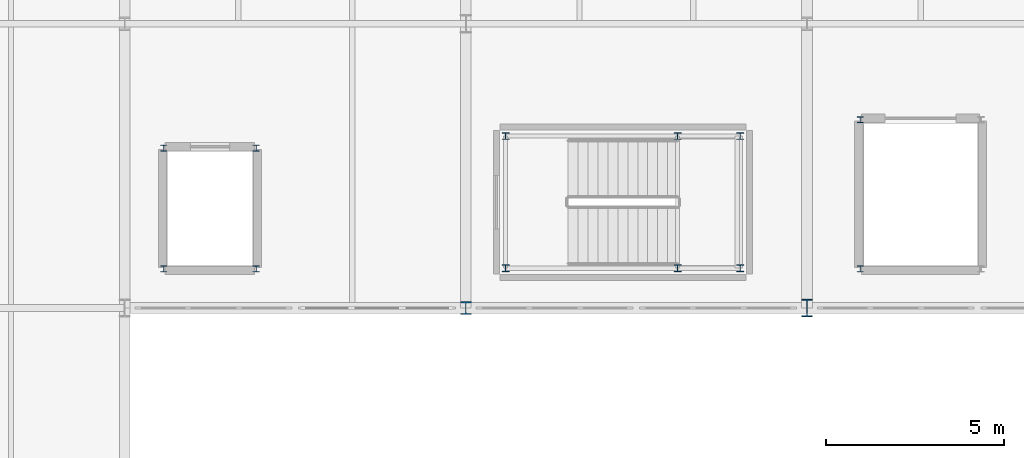
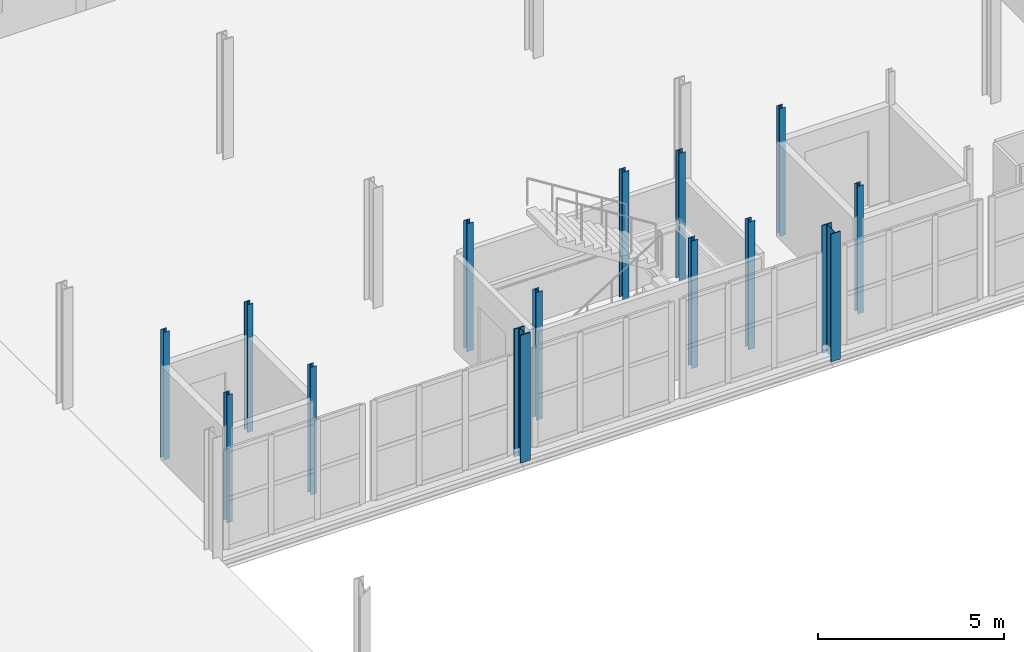
# One storey, part 21 of 78: 14 columns.
"""IFC4 building model written with IfcOpenShell, lengths in metres."""

import ifcopenshell
import ifcopenshell.guid

model = None  # the IFC model being written
_history = None  # IfcOwnerHistory: only IFC2X3 demands one
_inside = {}  # id of a spatial element -> (the spatial element, [elements in it])
_under = {}  # id of a project, library or spatial element -> (it, [spatial elements below it])
_declared = {}  # id of a project -> (the project, [libraries it declares])
_typed = {}  # id of a type object -> (the type object, [elements of that type])
_made_of = {}  # id of a material, layer set ... -> (it, [elements and type objects made of it])


def new_model(schema):
    """Start an empty IFC model of exactly this schema.

    Asked for "IFC4X3", IfcOpenShell would pick the latest addendum, in which some entities
    have other attributes; the version numbers below select the first issue.
    IFC2X3 requires an IfcOwnerHistory on every rooted entity: one is made here for all.
    """
    global model, _history
    if schema == "IFC4X3":
        model = ifcopenshell.file(schema_version=(4, 3, 0, 0))
    else:
        model = ifcopenshell.file(schema=schema)
    _inside.clear()
    _under.clear()
    _declared.clear()
    _typed.clear()
    _made_of.clear()
    _history = None
    if model.schema == "IFC2X3":
        org = make("IfcOrganization", Name="unknown")
        user = make(
            "IfcPersonAndOrganization",
            ThePerson=make("IfcPerson", FamilyName="unknown"),
            TheOrganization=org,
        )
        app = make(
            "IfcApplication",
            ApplicationDeveloper=org,
            Version="unknown",
            ApplicationFullName="unknown",
            ApplicationIdentifier="unknown",
        )
        _history = make(
            "IfcOwnerHistory",
            OwningUser=user,
            OwningApplication=app,
            ChangeAction="ADDED",
            CreationDate=0,
        )
    return model


def make(cls, **values):
    """One entity of the class cls with the attributes given. An attribute that is None is left unset."""
    return model.create_entity(
        cls, **{name: value for name, value in values.items() if value is not None}
    )


def rooted(cls, **values):
    """An entity with a GlobalId (a new one), such as an element, a storey or a relation."""
    return make(cls, GlobalId=ifcopenshell.guid.new(), OwnerHistory=_history, **values)


def si_unit(unit_type, name, prefix=None):
    """IfcSIUnit, for example si_unit("LENGTHUNIT", "METRE", prefix="MILLI")."""
    return make("IfcSIUnit", UnitType=unit_type, Prefix=prefix, Name=name)


def assignment(units):
    """IfcUnitAssignment: the units of a project."""
    return None if units is None else make("IfcUnitAssignment", Units=units)


def point(xyz):
    """IfcCartesianPoint."""
    return None if xyz is None else make("IfcCartesianPoint", Coordinates=xyz)


def direction(xyz):
    """IfcDirection."""
    return None if xyz is None else make("IfcDirection", DirectionRatios=xyz)


def frame(location, z_axis=None, x_axis=None):
    """IfcAxis2Placement3D, a coordinate frame: its origin and axes. An axis left out is left unset."""
    return make(
        "IfcAxis2Placement3D",
        Location=point(location),
        Axis=direction(z_axis),
        RefDirection=direction(x_axis),
    )


def frame_2d(location, x_axis=None):
    """IfcAxis2Placement2D, a coordinate frame in the plane: its origin and x axis."""
    return make(
        "IfcAxis2Placement2D", Location=point(location), RefDirection=direction(x_axis)
    )


def origin():
    """The frame at (0, 0, 0) with its axes left unset."""
    return frame((0.0, 0.0, 0.0))


def origin_2d():
    """The frame at (0, 0) in the plane with its x axis left unset."""
    return frame_2d((0.0, 0.0))


def place(relative_to, where):
    """IfcLocalPlacement: puts the frame where relative to a parent placement (None: the world)."""
    return make(
        "IfcLocalPlacement", PlacementRelTo=relative_to, RelativePlacement=where
    )


def context(
    kind, dimensions, precision=None, world=None, true_north=None, identifier=None
):
    """IfcGeometricRepresentationContext, for example the 3D "Model" context."""
    return make(
        "IfcGeometricRepresentationContext",
        ContextIdentifier=identifier,
        ContextType=kind,
        CoordinateSpaceDimension=dimensions,
        Precision=precision,
        WorldCoordinateSystem=world,
        TrueNorth=true_north,
    )


def subcontext(parent, identifier, kind, view, scale=None):
    """IfcGeometricRepresentationSubContext, for example "Body" below "Model"."""
    return make(
        "IfcGeometricRepresentationSubContext",
        ContextIdentifier=identifier,
        ContextType=kind,
        ParentContext=parent,
        TargetScale=scale,
        TargetView=view,
    )


def project(units=None, contexts=None):
    """IfcProject with its units and contexts."""
    return rooted(
        "IfcProject",
        Name="project",
        RepresentationContexts=contexts,
        UnitsInContext=assignment(units),
    )


def spatial(cls, under=None, at=None, **own):
    """A site, building, storey or space (cls), placed at a placement, below another one or the project."""
    s = rooted(cls, ObjectPlacement=at, **own)
    if under is not None:
        _under.setdefault(under.id(), (under, []))[1].append(s)
    return s


def profile(cls, at=None, kind="AREA", **sizes):
    """A parametric profile (cls). Its sizes go by their IFC names, for example OverallWidth=200.0."""
    return make(cls, ProfileType=kind, Position=at, **sizes)


def i_section(**sizes):
    """IfcIShapeProfileDef."""
    return profile("IfcIShapeProfileDef", **sizes)


def extrude(swept, where, along, depth):
    """IfcExtrudedAreaSolid: the profile swept, set in the frame where, extruded along a direction by depth."""
    return make(
        "IfcExtrudedAreaSolid",
        SweptArea=swept,
        Position=where,
        ExtrudedDirection=direction(along),
        Depth=depth,
    )


def shape(context_of_items, identifier, shape_type, items):
    """IfcShapeRepresentation: the items that make up one representation, for example the "Body"."""
    return make(
        "IfcShapeRepresentation",
        ContextOfItems=context_of_items,
        RepresentationIdentifier=identifier,
        RepresentationType=shape_type,
        Items=items,
    )


def material(Name=None, Category=None):
    """IfcMaterial."""
    return make("IfcMaterial", Name=Name, Category=Category)


def material_profile(
    of_material, cross_section, Name=None, Category=None, Priority=None
):
    """IfcMaterialProfile: a cross section and its material."""
    return make(
        "IfcMaterialProfile",
        Name=Name,
        Material=of_material,
        Profile=cross_section,
        Priority=Priority,
        Category=Category,
    )


def profile_set(profiles, Name=None, composite=None):
    """IfcMaterialProfileSet."""
    return make(
        "IfcMaterialProfileSet",
        Name=Name,
        MaterialProfiles=profiles,
        CompositeProfile=composite,
    )


def made_of(thing, what):
    """Note that an element or type object is made of a material, layer set ...; save() writes the relation."""
    if what is not None:
        _made_of.setdefault(what.id(), (what, []))[1].append(thing)
    return thing


def type_object(cls, material=None, **own):
    """A type object (cls), such as IfcWallType, which elements share."""
    return made_of(rooted(cls, **own), material)


def element(
    cls,
    number,
    at=None,
    inside=None,
    cuts=None,
    type_object=None,
    material=None,
    context=None,
    identifier="Body",
    shape_type=None,
    held_by="IfcProductDefinitionShape",
    body=None,
    shapes=None,
    **own,
):
    """One element of the class cls, such as IfcWall. Its Tag is "e" and its number.

    at: its placement. inside: the storey or other place that contains it. cuts: it is an
    opening in that element (IfcRelVoidsElement). A single representation is given by context,
    identifier, shape_type and body (its items); several are given by shapes. held_by: the class
    of the entity that holds the representations. save() writes the other relations.
    """
    e = rooted(cls, Tag="e%d" % number, ObjectPlacement=at, **own)
    if body is not None:
        shapes = [shape(context, identifier, shape_type, body)]
    if shapes is not None:
        e.Representation = make(held_by, Representations=shapes)
    if inside is not None:
        _inside.setdefault(inside.id(), (inside, []))[1].append(e)
    if cuts is not None:
        rooted(
            "IfcRelVoidsElement", RelatingBuildingElement=cuts, RelatedOpeningElement=e
        )
    if type_object is not None:
        _typed.setdefault(type_object.id(), (type_object, []))[1].append(e)
    return made_of(e, material)


def aggregate(whole, parts):
    """IfcRelAggregates: a whole, such as a stair, and the parts it consists of."""
    return rooted("IfcRelAggregates", RelatingObject=whole, RelatedObjects=parts)


def save(model, path):
    """Write the relations noted so far, then the file.

    IfcRelAggregates (storeys below a building ...), IfcRelContainedInSpatialStructure (elements
    in a storey), IfcRelDefinesByType, IfcRelAssociatesMaterial and IfcRelDeclares: one each for
    every whole, place, type object, material and project.
    """
    for whole, parts in _under.values():
        aggregate(whole, parts)
    for where, things in _inside.values():
        rooted(
            "IfcRelContainedInSpatialStructure",
            RelatedElements=things,
            RelatingStructure=where,
        )
    for kind, things in _typed.values():
        rooted("IfcRelDefinesByType", RelatedObjects=things, RelatingType=kind)
    for what, things in _made_of.values():
        rooted("IfcRelAssociatesMaterial", RelatedObjects=things, RelatingMaterial=what)
    for by, libraries in _declared.values():
        rooted("IfcRelDeclares", RelatingContext=by, RelatedDefinitions=libraries)
    model.write(path)


model = new_model("IFC4")

# Units and contexts
model_context = context("Model", 3, precision=1e-05, world=origin(), true_north=direction((0.0, 1.0)))
body_context = subcontext(model_context, "Body", "Model", "MODEL_VIEW")
ifc_project = project(units=[si_unit("LENGTHUNIT", "METRE"), si_unit("AREAUNIT", "SQUARE_METRE"), si_unit("VOLUMEUNIT", "CUBIC_METRE"), si_unit("PLANEANGLEUNIT", "RADIAN"), si_unit("MASSUNIT", "GRAM", prefix="KILO")], contexts=[model_context])

# Site, building, storey
site_placement = place(None, origin())
site = spatial("IfcSite", under=ifc_project, at=site_placement, CompositionType="ELEMENT")
building_placement = place(site_placement, origin())
building = spatial("IfcBuilding", under=site, at=building_placement, Name="Alderhovde Museum", CompositionType="ELEMENT")
storey_placement = place(building_placement, frame((0.0, 0.0, 4.5)))
storey = spatial("IfcBuildingStorey", under=building, at=storey_placement, Name="L01", CompositionType="ELEMENT", Elevation=4.5)

# Columns
ifc_material_1 = material(Name="Steel S355J2", Category="steel")
ifc_material_profile_1 = material_profile(ifc_material_1, i_section(OverallWidth=0.179931640625, OverallDepth=0.1708984375, WebThickness=0.006103515625, FlangeThickness=0.009521484375, FilletRadius=0.014892578125, at=origin_2d()), Name="HEA 180")
ifc_profile_set_1 = profile_set([ifc_material_profile_1], Name="Steel S355J2")
column_type_1 = type_object("IfcColumnType", Name="COL-HEA180", PredefinedType="COLUMN", material=ifc_profile_set_1)
for number, where, z_axis, x_axis, name in (
    (1, (116.300048828125, 73.10009765625, 0.0), (0.0, 0.0, 1.0), (1.0, 0.0, 0.0), "L01 Lift PL-03 Shaft Column 1"),
    (2, (118.89990234375, 73.10009765625, 0.0), (0.0, 0.0, 1.0), (1.0, 0.0, 0.0), "L01 Lift PL-03 Shaft Column 2"),
    (3, (118.89990234375, 76.5, 0.0), (0.0, 0.0, 1.0), (1.0, 0.0, 0.0), "L01 Lift PL-03 Shaft Column 3"),
    (4, (116.300048828125, 76.5, 0.0), (0.0, 0.0, 1.0), (1.0, 0.0, 0.0), "L01 Lift PL-03 Shaft Column 4"),
    (5, (135.89990234375, 73.10009765625, 0.0), (0.0, 0.0, 1.0), (1.0, 0.0, 0.0), "L01 Lift GL-01 Shaft Column 1"),
    (6, (135.89990234375, 77.300048828125, 0.0), (0.0, 0.0, 1.0), (1.0, 0.0, 0.0), "L01 Lift GL-01 Shaft Column 4"),
):
    element("IfcColumn", number, at=place(storey_placement, frame(where, z_axis=z_axis, x_axis=x_axis)), inside=storey, type_object=column_type_1, Name=name, PredefinedType="COLUMN", context=body_context, shape_type="SweptSolid", body=[
        extrude(i_section(OverallWidth=0.179931640625, OverallDepth=0.1708984375, WebThickness=0.006103515625, FlangeThickness=0.009521484375, FilletRadius=0.014892578125, at=origin_2d()), origin(), (0.0, 0.0, 1.0), 4.199951171875),
    ])
ifc_material_2 = material(Name="Steel S355J2", Category="steel")
ifc_material_profile_2 = material_profile(ifc_material_2, i_section(OverallWidth=0.199951171875, OverallDepth=0.18994140625, WebThickness=0.006591796875, FlangeThickness=0.010009765625, FilletRadius=0.01806640625, at=origin_2d()), Name="HEA 200")
ifc_profile_set_2 = profile_set([ifc_material_profile_2], Name="Steel S355J2")
column_type_2 = type_object("IfcColumnType", Name="COL-HEA200", PredefinedType="COLUMN", material=ifc_profile_set_2)
for number, where, z_axis, x_axis, name in (
    (7, (125.919921875, 73.1201171875, 0.0), (0.0, 0.0, 1.0), (1.0, 0.0, 0.0), "L01 Stair ST4 Shaft Column 1"),
    (8, (132.52001953125, 73.1201171875, 0.0), (0.0, 0.0, 1.0), (1.0, 0.0, 0.0), "L01 Stair ST4 Shaft Column 2"),
    (9, (132.52001953125, 76.840087890625, 0.0), (0.0, 0.0, 1.0), (1.0, 0.0, 0.0), "L01 Stair ST4 Shaft Column 3"),
    (10, (125.919921875, 76.840087890625, 0.0), (0.0, 0.0, 1.0), (1.0, 0.0, 0.0), "L01 Stair ST4 Shaft Column 4"),
    (11, (130.760009765625, 73.1201171875, 0.0), (0.0, 0.0, 1.0), (1.0, 0.0, 0.0), "L01 Stair ST4 Shaft Column 5"),
    (12, (130.760009765625, 76.840087890625, 0.0), (0.0, 0.0, 1.0), (1.0, 0.0, 0.0), "L01 Stair ST4 Shaft Column 6"),
):
    element("IfcColumn", number, at=place(storey_placement, frame(where, z_axis=z_axis, x_axis=x_axis)), inside=storey, type_object=column_type_2, Name=name, PredefinedType="COLUMN", context=body_context, shape_type="SweptSolid", body=[
        extrude(i_section(OverallWidth=0.199951171875, OverallDepth=0.18994140625, WebThickness=0.006591796875, FlangeThickness=0.010009765625, FilletRadius=0.01806640625, at=origin_2d()), origin(), (0.0, 0.0, 1.0), 4.199951171875),
    ])
ifc_material_3 = material(Name="Steel S355J2", Category="steel")
ifc_material_profile_3 = material_profile(ifc_material_3, i_section(OverallWidth=0.300048828125, OverallDepth=0.5, WebThickness=0.014404296875, FlangeThickness=0.028076171875, FilletRadius=0.027099609375, at=origin_2d()), Name="HEB 500")
ifc_profile_set_3 = profile_set([ifc_material_profile_3], Name="Steel S355J2")
column_type_3 = type_object("IfcColumnType", Name="COL-HEB500", PredefinedType="COLUMN", material=ifc_profile_set_3)
column_1_placement = place(storey_placement, frame((134.39990234375, 72.0, -0.260009765625), z_axis=(0.0, 0.0, 1.0), x_axis=(1.0, 0.0, 0.0)))
element("IfcColumn", 13, at=column_1_placement, inside=storey, type_object=column_type_3, Name="L01 Column (134.4, 72.0)", PredefinedType="COLUMN", context=body_context, shape_type="SweptSolid", body=[
    extrude(i_section(OverallWidth=0.300048828125, OverallDepth=0.5, WebThickness=0.014404296875, FlangeThickness=0.028076171875, FilletRadius=0.027099609375, at=origin_2d()), origin(), (0.0, 0.0, 1.0), 4.199951171875),
])
ifc_material_4 = material(Name="Steel S355J2", Category="steel")
ifc_material_profile_4 = material_profile(ifc_material_4, i_section(OverallWidth=0.30908203125, OverallDepth=0.376953125, WebThickness=0.02099609375, FlangeThickness=0.0400390625, FilletRadius=0.027099609375, at=origin_2d()), Name="HEM 340")
ifc_profile_set_4 = profile_set([ifc_material_profile_4], Name="Steel S355J2")
column_type_4 = type_object("IfcColumnType", Name="COL-HEM340", PredefinedType="COLUMN", material=ifc_profile_set_4)
column_2_placement = place(storey_placement, frame((124.800048828125, 72.0, -0.260009765625), z_axis=(0.0, 0.0, 1.0), x_axis=(1.0, 0.0, 0.0)))
element("IfcColumn", 14, at=column_2_placement, inside=storey, type_object=column_type_4, Name="L01 Column (124.8, 72.0)", PredefinedType="COLUMN", context=body_context, shape_type="SweptSolid", body=[
    extrude(i_section(OverallWidth=0.30908203125, OverallDepth=0.376953125, WebThickness=0.02099609375, FlangeThickness=0.0400390625, FilletRadius=0.027099609375, at=origin_2d()), origin(), (0.0, 0.0, 1.0), 4.199951171875),
])

save(model, "model.ifc")
